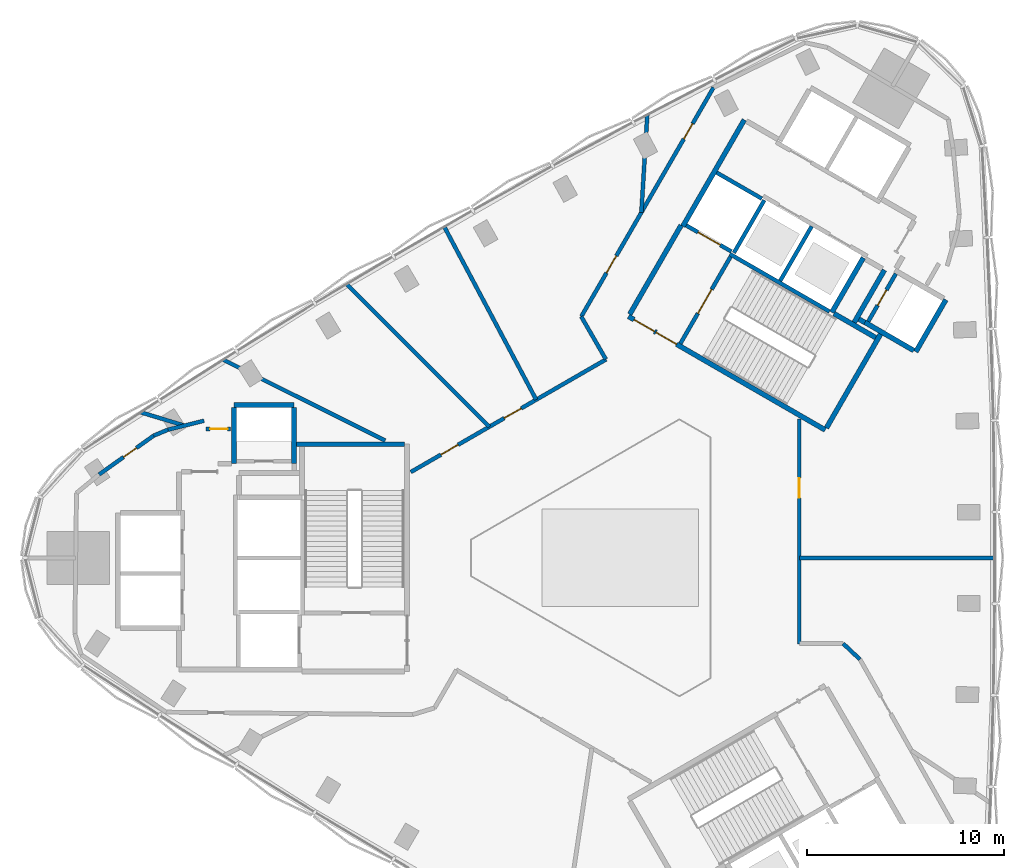
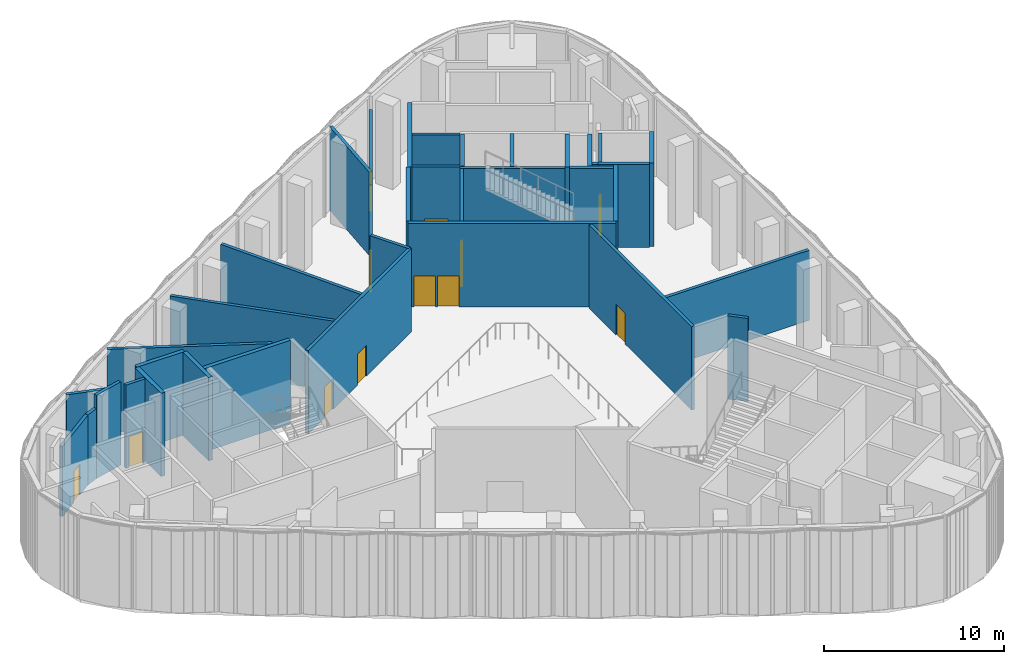
# One storey, part 7 of 14: 36 walls, 12 doors, 12 openings.
"""IFC4 building model written with IfcOpenShell, lengths in metres."""

from ifc_helpers import new_model, si_unit, direction, frame, frame_2d, origin, place, context, subcontext, project, spatial, rectangle, extrude, material, layer, layer_set, type_object, element, fill, save


model = new_model("IFC4")

# Units and contexts
model_context = context("Model", 3, precision=1e-05, world=origin(), true_north=direction((0.0, 1.0)))
body_context = subcontext(model_context, "Body", "Model", "MODEL_VIEW")
ifc_project = project(units=[si_unit("LENGTHUNIT", "METRE"), si_unit("AREAUNIT", "SQUARE_METRE"), si_unit("VOLUMEUNIT", "CUBIC_METRE"), si_unit("PLANEANGLEUNIT", "RADIAN"), si_unit("MASSUNIT", "GRAM", prefix="KILO")], contexts=[model_context])

# Site, building, storey
site_placement = place(None, origin())
site = spatial("IfcSite", under=ifc_project, at=site_placement, CompositionType="ELEMENT")
building_placement = place(site_placement, origin())
building = spatial("IfcBuilding", under=site, at=building_placement, Name="Tamra Quay Hotel Tower", CompositionType="ELEMENT")
storey_placement = place(building_placement, frame((0.0, 0.0, 169.60009765625)))
storey = spatial("IfcBuildingStorey", under=building, at=storey_placement, Name="L42", CompositionType="ELEMENT", Elevation=169.60009765625)

# Wall
ifc_material_1 = material(Name="Concrete M70", Category="concrete")
ifc_layer_1 = layer(ifc_material_1, 0.199951171875)
ifc_layer_set_1 = layer_set([ifc_layer_1], Name="Concrete M70 core wall 200")
wall_type_1 = type_object("IfcWallType", Name="Concrete M70 core wall 200", PredefinedType="SHEAR", material=ifc_layer_set_1)
wall_1_placement = place(storey_placement, frame((10.636474609375, 12.521484375, 0.0), z_axis=(0.0, 0.0, 1.0), x_axis=(-0.866013252188, 0.500021046592, 0.0)))
element("IfcWall", 1, at=wall_1_placement, inside=storey, type_object=wall_type_1, Name="CW2", PredefinedType="SHEAR", context=body_context, shape_type="SweptSolid", body=[
    extrude(rectangle(XDim=5.850830078125, YDim=0.199951171875, at=frame_2d((2.92529296875, 0.0))), origin(), (0.0, 0.0, 1.0), 5.64990234375),
])

# Wall, opening, door
wall_2_placement = place(storey_placement, frame((3.056640625, 10.89453125, 0.0), z_axis=(0.0, 0.0, 1.0), x_axis=(0.500027839223, 0.866009330205, 0.0)))
wall_2 = element("IfcWall", 2, at=wall_2_placement, inside=storey, type_object=wall_type_1, Name="CW2", PredefinedType="SHEAR", context=body_context, shape_type="SweptSolid", body=[
    extrude(rectangle(XDim=5.097900390625, YDim=0.199951171875, at=frame_2d((2.548828125, 0.0))), origin(), (0.0, 0.0, 1.0), 5.64990234375),
])
opening_1_placement = place(wall_2_placement, frame((1.77392578125, 0.0, 0.0)))
opening_1 = element("IfcOpeningElement", 3, at=opening_1_placement, cuts=wall_2, Name="Opening FD2", PredefinedType="OPENING", context=body_context, shape_type="SweptSolid", body=[
    extrude(rectangle(XDim=1.39990234375, YDim=2.10009765625, at=frame_2d((0.699951171875, 1.050048828125))), frame((0.0, 0.10986328125, 0.0), z_axis=(0.0, -1.0, 0.0), x_axis=(1.0, 0.0, 0.0)), (0.0, 0.0, 1.0), 0.219970703125),
])
ifc_material_2 = material(Name="Core door FD2 1400x2100 LH")
door_type_1 = type_object("IfcDoorType", Name="Core door FD2 1400x2100 LH", OperationType="NOTDEFINED", PredefinedType="DOOR", material=ifc_material_2)
door_1_placement = place(opening_1_placement, origin())
door_1 = element("IfcDoor", 4, at=door_1_placement, inside=storey, type_object=door_type_1, Name="FD2", OperationType="SINGLE_SWING_LEFT", OverallHeight=2.10009765625, OverallWidth=1.39990234375, PredefinedType="DOOR", context=body_context, shape_type="SweptSolid", body=[
    extrude(rectangle(XDim=1.39990234375, YDim=2.10009765625, at=frame_2d((0.699951171875, 1.050048828125))), frame((0.0, 0.02490234375, 0.0), z_axis=(0.0, -1.0, 0.0), x_axis=(1.0, 0.0, 0.0)), (0.0, 0.0, 1.0), 0.050048828125),
])
fill(opening_1, door_1)

# Wall
wall_3_placement = place(storey_placement, frame((8.131591796875, 14.08447265625, 0.0), z_axis=(0.0, 0.0, 1.0), x_axis=(0.500030834389, 0.86600760081, 0.0)))
element("IfcWall", 5, at=wall_3_placement, inside=storey, type_object=wall_type_1, Name="CW2", PredefinedType="SHEAR", context=body_context, shape_type="SweptSolid", body=[
    extrude(rectangle(XDim=3.197998046875, YDim=0.199951171875, at=frame_2d((1.59912109375, 0.0))), origin(), (0.0, 0.0, 1.0), 5.64990234375),
])

# Wall, opening, door
wall_4_placement = place(storey_placement, frame((14.0078125, 14.442138671875, 0.0), z_axis=(0.0, 0.0, 1.0), x_axis=(-0.499986818241, -0.866033014143, 0.0)))
wall_4 = element("IfcWall", 6, at=wall_4_placement, inside=storey, type_object=wall_type_1, Name="CW2", PredefinedType="SHEAR", context=body_context, shape_type="SweptSolid", body=[
    extrude(rectangle(XDim=2.7978515625, YDim=0.199951171875, at=frame_2d((1.39892578125, 0.0))), origin(), (0.0, 0.0, 1.0), 5.64990234375),
])
opening_2_placement = place(wall_4_placement, frame((0.948974609375, 0.0, 0.0)))
opening_2 = element("IfcOpeningElement", 7, at=opening_2_placement, cuts=wall_4, Name="Opening D1", PredefinedType="OPENING", context=body_context, shape_type="SweptSolid", body=[
    extrude(rectangle(XDim=0.89990234375, YDim=2.10009765625, at=frame_2d((0.449951171875, 1.050048828125))), frame((0.0, 0.10986328125, 0.0), z_axis=(0.0, -1.0, 0.0), x_axis=(1.0, 0.0, 0.0)), (0.0, 0.0, 1.0), 0.219970703125),
])
ifc_material_3 = material(Name="Core door D1 900x2100 RH")
door_type_2 = type_object("IfcDoorType", Name="Core door D1 900x2100 RH", OperationType="NOTDEFINED", PredefinedType="DOOR", material=ifc_material_3)
door_2_placement = place(opening_2_placement, origin())
door_2 = element("IfcDoor", 8, at=door_2_placement, inside=storey, type_object=door_type_2, Name="D1", OperationType="SINGLE_SWING_RIGHT", OverallHeight=2.10009765625, OverallWidth=0.89990234375, PredefinedType="DOOR", context=body_context, shape_type="SweptSolid", body=[
    extrude(rectangle(XDim=0.89990234375, YDim=2.10009765625, at=frame_2d((0.449951171875, 1.050048828125))), frame((0.0, 0.02490234375, 0.0), z_axis=(0.0, -1.0, 0.0), x_axis=(1.0, 0.0, 0.0)), (0.0, 0.0, 1.0), 0.050048828125),
])
fill(opening_2, door_2)

# Wall
wall_5_placement = place(storey_placement, frame((7.324462890625, 18.1865234375, 0.0), z_axis=(0.0, 0.0, 1.0), x_axis=(-0.499967891604, -0.866043940782, 0.0)))
element("IfcWall", 9, at=wall_5_placement, inside=storey, type_object=wall_type_1, Name="CW2", PredefinedType="SHEAR", context=body_context, shape_type="SweptSolid", body=[
    extrude(rectangle(XDim=3.099853515625, YDim=0.199951171875, at=frame_2d((1.5498046875, 0.0))), origin(), (0.0, 0.0, 1.0), 5.64990234375),
])

# Wall, opening, door
wall_6_placement = place(storey_placement, frame((5.646240234375, 15.575927734375, 0.0), z_axis=(0.0, 0.0, 1.0), x_axis=(-0.866018407898, 0.500012117035, 0.0)))
wall_6 = element("IfcWall", 10, at=wall_6_placement, inside=storey, type_object=wall_type_1, Name="CW2", PredefinedType="SHEAR", context=body_context, shape_type="SweptSolid", body=[
    extrude(rectangle(XDim=2.65087890625, YDim=0.199951171875, at=frame_2d((1.325439453125, 0.0))), origin(), (0.0, 0.0, 1.0), 5.64990234375),
])
opening_3_placement = place(wall_6_placement, frame((0.65185546875, 0.0, 0.0)))
opening_3 = element("IfcOpeningElement", 11, at=opening_3_placement, cuts=wall_6, Name="Opening LD", PredefinedType="OPENING", context=body_context, shape_type="SweptSolid", body=[
    extrude(rectangle(XDim=1.300048828125, YDim=2.10009765625, at=frame_2d((0.64990234375, 1.050048828125))), frame((0.0, 0.10986328125, 0.0), z_axis=(0.0, -1.0, 0.0), x_axis=(1.0, 0.0, 0.0)), (0.0, 0.0, 1.0), 0.219970703125),
])
ifc_material_4 = material(Name="Landing door LD 1300 sliding to left")
door_type_3 = type_object("IfcDoorType", Name="Landing door LD 1300 sliding to left", OperationType="NOTDEFINED", PredefinedType="DOOR", material=ifc_material_4)
door_3_placement = place(opening_3_placement, origin())
door_3 = element("IfcDoor", 12, at=door_3_placement, inside=storey, type_object=door_type_3, Name="LD", OperationType="SLIDING_TO_LEFT", OverallHeight=2.10009765625, OverallWidth=1.300048828125, PredefinedType="DOOR", context=body_context, shape_type="SweptSolid", body=[
    extrude(rectangle(XDim=1.300048828125, YDim=2.10009765625, at=frame_2d((0.64990234375, 1.050048828125))), frame((0.0, 0.02490234375, 0.0), z_axis=(0.0, -1.0, 0.0), x_axis=(1.0, 0.0, 0.0)), (0.0, 0.0, 1.0), 0.050048828125),
])
fill(opening_3, door_3)

# Walls
wall_7_placement = place(storey_placement, frame((7.1962890625, 18.260498046875, 0.0), z_axis=(0.0, 0.0, 1.0), x_axis=(-0.866018407898, 0.500012117035, 0.0)))
element("IfcWall", 13, at=wall_7_placement, inside=storey, type_object=wall_type_1, Name="CW2", PredefinedType="SHEAR", context=body_context, shape_type="SweptSolid", body=[
    extrude(rectangle(XDim=2.65087890625, YDim=0.199951171875, at=frame_2d((1.325439453125, 0.0))), origin(), (0.0, 0.0, 1.0), 5.64990234375),
])
ifc_layer_2 = layer(ifc_material_1, 0.25)
ifc_layer_set_2 = layer_set([ifc_layer_2], Name="Concrete M70 core wall 250")
wall_type_2 = type_object("IfcWallType", Name="Concrete M70 core wall 250", PredefinedType="SHEAR", material=ifc_layer_set_2)
wall_8_placement = place(storey_placement, frame((-16.47216796875, 5.77490234375, 0.0), z_axis=(0.0, 0.0, 1.0), x_axis=(1.0, 0.0, 0.0)))
element("IfcWall", 14, at=wall_8_placement, inside=storey, type_object=wall_type_2, Name="CW1", PredefinedType="SHEAR", context=body_context, shape_type="SweptSolid", body=[
    extrude(rectangle(XDim=5.509521484375, YDim=0.25, at=frame_2d((2.7548828125, 0.0))), origin(), (0.0, 0.0, 1.0), 5.64990234375),
])
wall_9_placement = place(storey_placement, frame((-19.63720703125, 7.77490234375, 0.0), z_axis=(0.0, 0.0, 1.0), x_axis=(1.0, 0.0, 0.0)))
element("IfcWall", 15, at=wall_9_placement, inside=storey, type_object=wall_type_2, Name="CW1", PredefinedType="SHEAR", context=body_context, shape_type="SweptSolid", body=[
    extrude(rectangle(XDim=3.0498046875, YDim=0.25, at=frame_2d((1.52490234375, 0.0))), origin(), (0.0, 0.0, 1.0), 5.64990234375),
])
for number, where, z_axis, x_axis, name in (
    (16, (-16.58740234375, 7.649658203125, 0.0), (0.0, 0.0, 1.0), (0.0, -1.0, 0.0), "CW1"),
    (17, (-19.63720703125, 4.784912109375, 0.0), (0.0, 0.0, 1.0), (0.0, 1.0, 0.0), "CW1"),
):
    element("IfcWall", number, at=place(storey_placement, frame(where, z_axis=z_axis, x_axis=x_axis)), inside=storey, type_object=wall_type_2, Name=name, PredefinedType="SHEAR", context=body_context, shape_type="SweptSolid", body=[
        extrude(rectangle(XDim=2.86474609375, YDim=0.25, at=frame_2d((1.432373046875, 0.0))), origin(), (0.0, 0.0, 1.0), 5.64990234375),
    ])

# Wall, openings, doors
wall_10_placement = place(storey_placement, frame((10.419921875, 6.497802734375, 0.0), z_axis=(0.0, 0.0, 1.0), x_axis=(-0.866021906294, 0.500006057782, 0.0)))
wall_10 = element("IfcWall", 18, at=wall_10_placement, inside=storey, type_object=wall_type_2, Name="CW1", PredefinedType="SHEAR", context=body_context, shape_type="SweptSolid", body=[
    extrude(rectangle(XDim=11.550048828125, YDim=0.25, at=frame_2d((5.77490234375, 0.0))), origin(), (0.0, 0.0, 1.0), 5.64990234375),
])
opening_4_placement = place(wall_10_placement, frame((10.02490234375, 0.0, 0.0)))
opening_4 = element("IfcOpeningElement", 19, at=opening_4_placement, cuts=wall_10, Name="Opening FD1", PredefinedType="OPENING", context=body_context, shape_type="SweptSolid", body=[
    extrude(rectangle(XDim=1.199951171875, YDim=2.10009765625, at=frame_2d((0.60009765625, 1.050048828125))), frame((0.0, 0.135009765625, 0.0), z_axis=(0.0, -1.0, 0.0), x_axis=(1.0, 0.0, 0.0)), (0.0, 0.0, 1.0), 0.27001953125),
])
opening_5_placement = place(wall_10_placement, frame((8.724853515625, 0.0, 0.0)))
opening_5 = element("IfcOpeningElement", 20, at=opening_5_placement, cuts=wall_10, Name="Opening FD1", PredefinedType="OPENING", context=body_context, shape_type="SweptSolid", body=[
    extrude(rectangle(XDim=1.199951171875, YDim=2.10009765625, at=frame_2d((0.60009765625, 1.050048828125))), frame((0.0, 0.135009765625, 0.0), z_axis=(0.0, -1.0, 0.0), x_axis=(1.0, 0.0, 0.0)), (0.0, 0.0, 1.0), 0.27001953125),
])
ifc_material_5 = material(Name="Core door FD1 1200x2100 LH")
door_type_4 = type_object("IfcDoorType", Name="Core door FD1 1200x2100 LH", OperationType="NOTDEFINED", PredefinedType="DOOR", material=ifc_material_5)
door_4_placement = place(opening_4_placement, origin())
door_4 = element("IfcDoor", 21, at=door_4_placement, inside=storey, type_object=door_type_4, Name="FD1", OperationType="SINGLE_SWING_LEFT", OverallHeight=2.10009765625, OverallWidth=1.199951171875, PredefinedType="DOOR", context=body_context, shape_type="SweptSolid", body=[
    extrude(rectangle(XDim=1.199951171875, YDim=2.10009765625, at=frame_2d((0.60009765625, 1.050048828125))), frame((0.0, 0.02490234375, 0.0), z_axis=(0.0, -1.0, 0.0), x_axis=(1.0, 0.0, 0.0)), (0.0, 0.0, 1.0), 0.050048828125),
])
fill(opening_4, door_4)
ifc_material_6 = material(Name="Core door FD1 1200x2100 RH")
door_type_5 = type_object("IfcDoorType", Name="Core door FD1 1200x2100 RH", OperationType="NOTDEFINED", PredefinedType="DOOR", material=ifc_material_6)
door_5_placement = place(opening_5_placement, origin())
door_5 = element("IfcDoor", 22, at=door_5_placement, inside=storey, type_object=door_type_5, Name="FD1", OperationType="SINGLE_SWING_RIGHT", OverallHeight=2.10009765625, OverallWidth=1.199951171875, PredefinedType="DOOR", context=body_context, shape_type="SweptSolid", body=[
    extrude(rectangle(XDim=1.199951171875, YDim=2.10009765625, at=frame_2d((0.60009765625, 1.050048828125))), frame((0.0, 0.02490234375, 0.0), z_axis=(0.0, -1.0, 0.0), x_axis=(1.0, 0.0, 0.0)), (0.0, 0.0, 1.0), 0.050048828125),
])
fill(opening_5, door_5)

# Walls
wall_11_placement = place(storey_placement, frame((3.178955078125, 16.856201171875, 0.0), z_axis=(0.0, 0.0, 1.0), x_axis=(0.500004234368, 0.866022959057, 0.0)))
element("IfcWall", 23, at=wall_11_placement, inside=storey, type_object=wall_type_2, Name="CW1", PredefinedType="SHEAR", context=body_context, shape_type="SweptSolid", body=[
    extrude(rectangle(XDim=6.25, YDim=0.25, at=frame_2d((3.125, 0.0))), origin(), (0.0, 0.0, 1.0), 5.64990234375),
])
wall_12_placement = place(storey_placement, frame((0.47998046875, 12.38134765625, 0.0), z_axis=(0.0, 0.0, 1.0), x_axis=(0.49999885962, 0.866026062182, 0.0)))
element("IfcWall", 24, at=wall_12_placement, inside=storey, type_object=wall_type_2, Name="CW1", PredefinedType="SHEAR", context=body_context, shape_type="SweptSolid", body=[
    extrude(rectangle(XDim=5.224609375, YDim=0.25, at=frame_2d((2.6123046875, 0.0))), origin(), (0.0, 0.0, 1.0), 5.64990234375),
])
wall_13_placement = place(storey_placement, frame((13.237548828125, 11.3779296875, 0.0), z_axis=(0.0, 0.0, 1.0), x_axis=(-0.500008851346, -0.866020293397, 0.0)))
element("IfcWall", 25, at=wall_13_placement, inside=storey, type_object=wall_type_2, Name="CW1", PredefinedType="SHEAR", context=body_context, shape_type="SweptSolid", body=[
    extrude(rectangle(XDim=5.509765625, YDim=0.25, at=frame_2d((2.7548828125, 0.0))), origin(), (0.0, 0.0, 1.0), 5.64990234375),
])
wall_14_placement = place(storey_placement, frame((12.356689453125, 15.25244140625, 0.0), z_axis=(0.0, 0.0, 1.0), x_axis=(-0.500028443584, -0.866008981251, 0.0)))
element("IfcWall", 26, at=wall_14_placement, inside=storey, type_object=wall_type_2, Name="CW1", PredefinedType="SHEAR", context=body_context, shape_type="SweptSolid", body=[
    extrude(rectangle(XDim=3.199951171875, YDim=0.25, at=frame_2d((1.60009765625, 0.0))), origin(), (0.0, 0.0, 1.0), 5.64990234375),
])
wall_15_placement = place(storey_placement, frame((16.552001953125, 13.118896484375, 0.0), z_axis=(0.0, 0.0, 1.0), x_axis=(-0.499978833458, -0.866037623948, 0.0)))
element("IfcWall", 27, at=wall_15_placement, inside=storey, type_object=wall_type_2, Name="CW1", PredefinedType="SHEAR", context=body_context, shape_type="SweptSolid", body=[
    extrude(rectangle(XDim=3.050048828125, YDim=0.25, at=frame_2d((1.52490234375, 0.0))), origin(), (0.0, 0.0, 1.0), 5.64990234375),
])
wall_16_placement = place(storey_placement, frame((14.91845703125, 10.540283203125, 0.0), z_axis=(0.0, 0.0, 1.0), x_axis=(-0.866063538972, 0.499933942099, 0.0)))
element("IfcWall", 28, at=wall_16_placement, inside=storey, type_object=wall_type_2, Name="CW1", PredefinedType="SHEAR", context=body_context, shape_type="SweptSolid", body=[
    extrude(rectangle(XDim=2.86474609375, YDim=0.25, at=frame_2d((1.432373046875, 0.0))), origin(), (0.0, 0.0, 1.0), 5.64990234375),
])
wall_17_placement = place(storey_placement, frame((11.887939453125, 11.960693359375, 0.0), z_axis=(0.0, 0.0, 1.0), x_axis=(0.500003324108, 0.866023484601, 0.0)))
element("IfcWall", 29, at=wall_17_placement, inside=storey, type_object=wall_type_2, Name="CW1", PredefinedType="SHEAR", context=body_context, shape_type="SweptSolid", body=[
    extrude(rectangle(XDim=3.0849609375, YDim=0.25, at=frame_2d((1.54248046875, 0.0))), origin(), (0.0, 0.0, 1.0), 5.64990234375),
])
wall_18_placement = place(storey_placement, frame((10.865234375, 12.41845703125, 0.0), z_axis=(0.0, 0.0, 1.0), x_axis=(0.866026229868, -0.499998569178, 0.0)))
element("IfcWall", 30, at=wall_18_placement, inside=storey, type_object=wall_type_2, Name="CW1", PredefinedType="SHEAR", context=body_context, shape_type="SweptSolid", body=[
    extrude(rectangle(XDim=2.44921875, YDim=0.25, at=frame_2d((1.224609375, 0.0))), origin(), (0.0, 0.0, 1.0), 5.64990234375),
])
wall_19_placement = place(storey_placement, frame((12.4326171875, 11.9638671875, 0.0), z_axis=(0.0, 0.0, 1.0), x_axis=(-0.866055875208, 0.499947218231, 0.0)))
element("IfcWall", 31, at=wall_19_placement, inside=storey, type_object=wall_type_2, Name="CW1", PredefinedType="SHEAR", context=body_context, shape_type="SweptSolid", body=[
    extrude(rectangle(XDim=0.3447265625, YDim=0.25, at=frame_2d((0.17236328125, 0.0))), origin(), (0.0, 0.0, 1.0), 5.64990234375),
])

# Wall, opening, door
ifc_material_7 = material(Name="Partition corridor wall")
ifc_layer_3 = layer(ifc_material_7, 0.199951171875)
ifc_layer_set_3 = layer_set([ifc_layer_3], Name="Partition corridor wall")
wall_type_3 = type_object("IfcWallType", Name="Partition corridor wall", PredefinedType="PARTITIONING", material=ifc_layer_set_3)
wall_20_placement = place(storey_placement, frame((-26.5, 4.235107421875, 0.0), z_axis=(0.0, 0.0, 1.0), x_axis=(0.814738171434, 0.579829036879, 0.0)))
wall_20 = element("IfcWall", 32, at=wall_20_placement, inside=storey, type_object=wall_type_3, Name="W-C", PredefinedType="PARTITIONING", context=body_context, shape_type="SweptSolid", body=[
    extrude(rectangle(XDim=3.410888671875, YDim=0.199951171875, at=frame_2d((1.70556640625, 0.0))), origin(), (0.0, 0.0, 1.0), 4.75),
])
opening_6_placement = place(wall_20_placement, frame((1.526611328125, 0.0, 0.0)))
opening_6 = element("IfcOpeningElement", 33, at=opening_6_placement, cuts=wall_20, Name="Opening L42-D007", PredefinedType="OPENING", context=body_context, shape_type="SweptSolid", body=[
    extrude(rectangle(XDim=0.800048828125, YDim=2.10009765625, at=frame_2d((0.39990234375, 1.050048828125))), frame((0.0, 0.10986328125, 0.0), z_axis=(0.0, -1.0, 0.0), x_axis=(1.0, 0.0, 0.0)), (0.0, 0.0, 1.0), 0.219970703125),
])
ifc_material_8 = material(Name="Door service room 800x2100")
door_type_6 = type_object("IfcDoorType", Name="Door service room 800x2100", OperationType="NOTDEFINED", PredefinedType="DOOR", material=ifc_material_8)
door_6_placement = place(opening_6_placement, origin())
door_6 = element("IfcDoor", 34, at=door_6_placement, inside=storey, type_object=door_type_6, Name="L42-D007", OperationType="SINGLE_SWING_LEFT", OverallHeight=2.10009765625, OverallWidth=0.800048828125, PredefinedType="DOOR", context=body_context, shape_type="SweptSolid", body=[
    extrude(rectangle(XDim=0.800048828125, YDim=2.10009765625, at=frame_2d((0.39990234375, 1.050048828125))), frame((0.0, 0.02490234375, 0.0), z_axis=(0.0, -1.0, 0.0), x_axis=(1.0, 0.0, 0.0)), (0.0, 0.0, 1.0), 0.050048828125),
])
fill(opening_6, door_6)

# Walls
wall_21_placement = place(storey_placement, frame((-23.720947265625, 6.212890625, 0.0), z_axis=(0.0, 0.0, 1.0), x_axis=(0.923269753153, 0.384152265271, 0.0)))
element("IfcWall", 35, at=wall_21_placement, inside=storey, type_object=wall_type_3, Name="W-C", PredefinedType="PARTITIONING", context=body_context, shape_type="SweptSolid", body=[
    extrude(rectangle(XDim=0.7861328125, YDim=0.199951171875, at=frame_2d((0.39306640625, 0.0))), origin(), (0.0, 0.0, 1.0), 4.75),
])
wall_22_placement = place(storey_placement, frame((-22.991943359375, 6.5146484375, 0.0), z_axis=(0.0, 0.0, 1.0), x_axis=(0.97043928485, 0.241345384085, 0.0)))
element("IfcWall", 36, at=wall_22_placement, inside=storey, type_object=wall_type_3, Name="W-C", PredefinedType="PARTITIONING", context=body_context, shape_type="SweptSolid", body=[
    extrude(rectangle(XDim=1.882568359375, YDim=0.199951171875, at=frame_2d((0.94140625, 0.0))), origin(), (0.0, 0.0, 1.0), 5.64990234375),
])

# Wall, opening, door
wall_23_placement = place(storey_placement, frame((-21.05810546875, 6.550048828125, 0.0), z_axis=(0.0, 0.0, 1.0), x_axis=(1.0, 0.0, 0.0)))
wall_23 = element("IfcWall", 37, at=wall_23_placement, inside=storey, type_object=wall_type_3, Name="W-C", PredefinedType="PARTITIONING", context=body_context, shape_type="SweptSolid", body=[
    extrude(rectangle(XDim=1.23583984375, YDim=0.199951171875, at=frame_2d((0.617919921875, 0.0))), origin(), (0.0, 0.0, 1.0), 5.64990234375),
])
opening_7_placement = place(wall_23_placement, frame((0.199951171875, 0.0, 0.0)))
opening_7 = element("IfcOpeningElement", 38, at=opening_7_placement, cuts=wall_23, Name="Opening L42-D006", PredefinedType="OPENING", context=body_context, shape_type="SweptSolid", body=[
    extrude(rectangle(XDim=0.89990234375, YDim=2.10009765625, at=frame_2d((0.449951171875, 1.050048828125))), frame((0.0, 0.10986328125, 0.0), z_axis=(0.0, -1.0, 0.0), x_axis=(1.0, 0.0, 0.0)), (0.0, 0.0, 1.0), 0.219970703125),
])
ifc_material_9 = material(Name="Door guest room 900x2100")
door_type_7 = type_object("IfcDoorType", Name="Door guest room 900x2100", OperationType="NOTDEFINED", PredefinedType="DOOR", material=ifc_material_9)
door_7_placement = place(opening_7_placement, origin())
door_7 = element("IfcDoor", 39, at=door_7_placement, inside=storey, type_object=door_type_7, Name="L42-D006", OperationType="SINGLE_SWING_LEFT", OverallHeight=2.10009765625, OverallWidth=0.89990234375, PredefinedType="DOOR", context=body_context, shape_type="SweptSolid", body=[
    extrude(rectangle(XDim=0.89990234375, YDim=2.10009765625, at=frame_2d((0.449951171875, 1.050048828125))), frame((0.0, 0.02490234375, 0.0), z_axis=(0.0, -1.0, 0.0), x_axis=(1.0, 0.0, 0.0)), (0.0, 0.0, 1.0), 0.050048828125),
])
fill(opening_7, door_7)

# Wall, openings, doors
wall_24_placement = place(storey_placement, frame((-10.65234375, 4.360107421875, 0.0), z_axis=(0.0, 0.0, 1.0), x_axis=(0.866215711467, 0.499670232461, 0.0)))
wall_24 = element("IfcWall", 40, at=wall_24_placement, inside=storey, type_object=wall_type_3, Name="W-C", PredefinedType="PARTITIONING", context=body_context, shape_type="SweptSolid", body=[
    extrude(rectangle(XDim=11.467529296875, YDim=0.199951171875, at=frame_2d((5.73388671875, 0.0))), origin(), (0.0, 0.0, 1.0), 5.64990234375),
])
opening_8_placement = place(wall_24_placement, frame((5.48388671875, 0.0, 0.0)))
opening_8 = element("IfcOpeningElement", 41, at=opening_8_placement, cuts=wall_24, Name="Opening L42-D004", PredefinedType="OPENING", context=body_context, shape_type="SweptSolid", body=[
    extrude(rectangle(XDim=1.0, YDim=2.10009765625, at=frame_2d((0.5, 1.050048828125))), frame((0.0, 0.10986328125, 0.0), z_axis=(0.0, -1.0, 0.0), x_axis=(1.0, 0.0, 0.0)), (0.0, 0.0, 1.0), 0.219970703125),
])
opening_9_placement = place(wall_24_placement, frame((1.774658203125, 0.0, 0.0)))
opening_9 = element("IfcOpeningElement", 42, at=opening_9_placement, cuts=wall_24, Name="Opening L42-D005", PredefinedType="OPENING", context=body_context, shape_type="SweptSolid", body=[
    extrude(rectangle(XDim=1.0, YDim=2.10009765625, at=frame_2d((0.5, 1.050048828125))), frame((0.0, 0.10986328125, 0.0), z_axis=(0.0, -1.0, 0.0), x_axis=(1.0, 0.0, 0.0)), (0.0, 0.0, 1.0), 0.219970703125),
])
ifc_material_10 = material(Name="Door guest room 1000x2100")
door_type_8 = type_object("IfcDoorType", Name="Door guest room 1000x2100", OperationType="NOTDEFINED", PredefinedType="DOOR", material=ifc_material_10)
door_8_placement = place(opening_8_placement, origin())
door_8 = element("IfcDoor", 43, at=door_8_placement, inside=storey, type_object=door_type_8, Name="L42-D004", OperationType="SINGLE_SWING_LEFT", OverallHeight=2.10009765625, OverallWidth=1.0, PredefinedType="DOOR", context=body_context, shape_type="SweptSolid", body=[
    extrude(rectangle(XDim=1.0, YDim=2.10009765625, at=frame_2d((0.5, 1.050048828125))), frame((0.0, 0.02490234375, 0.0), z_axis=(0.0, -1.0, 0.0), x_axis=(1.0, 0.0, 0.0)), (0.0, 0.0, 1.0), 0.050048828125),
])
fill(opening_8, door_8)
door_9_placement = place(opening_9_placement, origin())
door_9 = element("IfcDoor", 44, at=door_9_placement, inside=storey, type_object=door_type_8, Name="L42-D005", OperationType="SINGLE_SWING_LEFT", OverallHeight=2.10009765625, OverallWidth=1.0, PredefinedType="DOOR", context=body_context, shape_type="SweptSolid", body=[
    extrude(rectangle(XDim=1.0, YDim=2.10009765625, at=frame_2d((0.5, 1.050048828125))), frame((0.0, 0.02490234375, 0.0), z_axis=(0.0, -1.0, 0.0), x_axis=(1.0, 0.0, 0.0)), (0.0, 0.0, 1.0), 0.050048828125),
])
fill(opening_9, door_9)

# Wall
wall_25_placement = place(storey_placement, frame((-1.985107421875, 12.264892578125, 0.0), z_axis=(0.0, 0.0, 1.0), x_axis=(0.499584369631, -0.866265235145, 0.0)))
element("IfcWall", 45, at=wall_25_placement, inside=storey, type_object=wall_type_3, Name="W-C", PredefinedType="PARTITIONING", context=body_context, shape_type="SweptSolid", body=[
    extrude(rectangle(XDim=2.500244140625, YDim=0.199951171875, at=frame_2d((1.25, 0.0))), origin(), (0.0, 0.0, 1.0), 5.64990234375),
])

# Wall, openings, doors
wall_26_placement = place(storey_placement, frame((-1.98486328125, 12.264892578125, 0.0), z_axis=(0.0, 0.0, 1.0), x_axis=(0.500003233276, 0.866023537044, 0.0)))
wall_26 = element("IfcWall", 46, at=wall_26_placement, inside=storey, type_object=wall_type_3, Name="W-C", PredefinedType="PARTITIONING", context=body_context, shape_type="SweptSolid", body=[
    extrude(rectangle(XDim=13.44775390625, YDim=0.199951171875, at=frame_2d((6.723876953125, 0.0))), origin(), (0.0, 0.0, 1.0), 4.75),
])
opening_10_placement = place(wall_26_placement, frame((10.427490234375, 0.0, 0.0)))
opening_10 = element("IfcOpeningElement", 47, at=opening_10_placement, cuts=wall_26, Name="Opening L42-D002", PredefinedType="OPENING", context=body_context, shape_type="SweptSolid", body=[
    extrude(rectangle(XDim=0.89990234375, YDim=2.10009765625, at=frame_2d((0.449951171875, 1.050048828125))), frame((0.0, 0.10986328125, 0.0), z_axis=(0.0, -1.0, 0.0), x_axis=(1.0, 0.0, 0.0)), (0.0, 0.0, 1.0), 0.219970703125),
])
opening_11_placement = place(wall_26_placement, frame((2.568115234375, 0.0, 0.0)))
opening_11 = element("IfcOpeningElement", 48, at=opening_11_placement, cuts=wall_26, Name="Opening L42-D003", PredefinedType="OPENING", context=body_context, shape_type="SweptSolid", body=[
    extrude(rectangle(XDim=1.0, YDim=2.10009765625, at=frame_2d((0.5, 1.050048828125))), frame((0.0, 0.10986328125, 0.0), z_axis=(0.0, -1.0, 0.0), x_axis=(1.0, 0.0, 0.0)), (0.0, 0.0, 1.0), 0.219970703125),
])
door_10_placement = place(opening_11_placement, origin())
door_10 = element("IfcDoor", 49, at=door_10_placement, inside=storey, type_object=door_type_8, Name="L42-D003", OperationType="SINGLE_SWING_LEFT", OverallHeight=2.10009765625, OverallWidth=1.0, PredefinedType="DOOR", context=body_context, shape_type="SweptSolid", body=[
    extrude(rectangle(XDim=1.0, YDim=2.10009765625, at=frame_2d((0.5, 1.050048828125))), frame((0.0, 0.02490234375, 0.0), z_axis=(0.0, -1.0, 0.0), x_axis=(1.0, 0.0, 0.0)), (0.0, 0.0, 1.0), 0.050048828125),
])
fill(opening_11, door_10)
ifc_material_11 = material(Name="Door service room 900x2100")
door_type_9 = type_object("IfcDoorType", Name="Door service room 900x2100", OperationType="NOTDEFINED", PredefinedType="DOOR", material=ifc_material_11)
door_11_placement = place(opening_10_placement, origin())
door_11 = element("IfcDoor", 50, at=door_11_placement, inside=storey, type_object=door_type_9, Name="L42-D002", OperationType="SINGLE_SWING_LEFT", OverallHeight=2.10009765625, OverallWidth=0.89990234375, PredefinedType="DOOR", context=body_context, shape_type="SweptSolid", body=[
    extrude(rectangle(XDim=0.89990234375, YDim=2.10009765625, at=frame_2d((0.449951171875, 1.050048828125))), frame((0.0, 0.02490234375, 0.0), z_axis=(0.0, -1.0, 0.0), x_axis=(1.0, 0.0, 0.0)), (0.0, 0.0, 1.0), 0.050048828125),
])
fill(opening_10, door_11)

# Wall, opening, door
wall_27_placement = place(storey_placement, frame((9.10009765625, -4.3720703125, 0.0), z_axis=(0.0, 0.0, 1.0), x_axis=(0.0, 1.0, 0.0)))
wall_27 = element("IfcWall", 51, at=wall_27_placement, inside=storey, type_object=wall_type_3, Name="W-C", PredefinedType="PARTITIONING", context=body_context, shape_type="SweptSolid", body=[
    extrude(rectangle(XDim=11.41845703125, YDim=0.199951171875, at=frame_2d((5.709228515625, 0.0))), origin(), (0.0, 0.0, 1.0), 5.64990234375),
])
opening_12_placement = place(wall_27_placement, frame((7.424072265625, 0.0, 0.0)))
opening_12 = element("IfcOpeningElement", 52, at=opening_12_placement, cuts=wall_27, Name="Opening L42-D001", PredefinedType="OPENING", context=body_context, shape_type="SweptSolid", body=[
    extrude(rectangle(XDim=1.0, YDim=2.10009765625, at=frame_2d((0.5, 1.050048828125))), frame((0.0, 0.10986328125, 0.0), z_axis=(0.0, -1.0, 0.0), x_axis=(1.0, 0.0, 0.0)), (0.0, 0.0, 1.0), 0.219970703125),
])
door_12_placement = place(opening_12_placement, frame((1.0, 0.0, 0.0), z_axis=(0.0, 0.0, 1.0), x_axis=(-1.0, 0.0, 0.0)))
door_12 = element("IfcDoor", 53, at=door_12_placement, inside=storey, type_object=door_type_8, Name="L42-D001", OperationType="SINGLE_SWING_LEFT", OverallHeight=2.10009765625, OverallWidth=1.0, PredefinedType="DOOR", context=body_context, shape_type="SweptSolid", body=[
    extrude(rectangle(XDim=1.0, YDim=2.10009765625, at=frame_2d((0.5, 1.050048828125))), frame((0.0, 0.02490234375, 0.0), z_axis=(0.0, -1.0, 0.0), x_axis=(1.0, 0.0, 0.0)), (0.0, 0.0, 1.0), 0.050048828125),
])
fill(opening_12, door_12)

# Walls
wall_28_placement = place(storey_placement, frame((11.33203125, -4.362060546875, 0.0), z_axis=(0.0, 0.0, 1.0), x_axis=(0.728642293119, -0.684894450757, 0.0)))
element("IfcWall", 54, at=wall_28_placement, inside=storey, type_object=wall_type_3, Name="W-C", PredefinedType="PARTITIONING", context=body_context, shape_type="SweptSolid", body=[
    extrude(rectangle(XDim=1.166259765625, YDim=0.199951171875, at=frame_2d((0.5830078125, 0.0))), origin(), (0.0, 0.0, 1.0), 5.64990234375),
])
ifc_material_12 = material(Name="Partition party wall")
ifc_layer_4 = layer(ifc_material_12, 0.199951171875)
ifc_layer_set_4 = layer_set([ifc_layer_4], Name="Partition party wall")
wall_type_4 = type_object("IfcWallType", Name="Partition party wall", PredefinedType="PARTITIONING", material=ifc_layer_set_4)
wall_29_placement = place(storey_placement, frame((-24.3642578125, 7.392578125, 0.0), z_axis=(0.0, 0.0, 1.0), x_axis=(0.956967335925, -0.290195654642, 0.0)))
element("IfcWall", 55, at=wall_29_placement, inside=storey, type_object=wall_type_4, Name="W-P", PredefinedType="PARTITIONING", context=body_context, shape_type="SweptSolid", body=[
    extrude(rectangle(XDim=2.303466796875, YDim=0.199951171875, at=frame_2d((1.15185546875, 0.0))), origin(), (0.0, 0.0, 1.0), 5.64990234375),
])
wall_30_placement = place(storey_placement, frame((-20.178955078125, 10.064697265625, 0.0), z_axis=(0.0, 0.0, 1.0), x_axis=(0.894867434309, -0.446332023289, 0.0)))
element("IfcWall", 56, at=wall_30_placement, inside=storey, type_object=wall_type_4, Name="W-P", PredefinedType="PARTITIONING", context=body_context, shape_type="SweptSolid", body=[
    extrude(rectangle(XDim=9.196533203125, YDim=0.199951171875, at=frame_2d((4.59814453125, 0.0))), origin(), (0.0, 0.0, 1.0), 5.64990234375),
])
wall_31_placement = place(storey_placement, frame((-13.90478515625, 13.90478515625, 0.0), z_axis=(0.0, 0.0, 1.0), x_axis=(0.707106781187, -0.707106781187, 0.0)))
element("IfcWall", 57, at=wall_31_placement, inside=storey, type_object=wall_type_4, Name="W-P", PredefinedType="PARTITIONING", context=body_context, shape_type="SweptSolid", body=[
    extrude(rectangle(XDim=10.2412109375, YDim=0.199951171875, at=frame_2d((5.12060546875, 0.0))), origin(), (0.0, 0.0, 1.0), 4.75),
])
wall_32_placement = place(storey_placement, frame((-8.940673828125, 16.81494140625, 0.0), z_axis=(0.0, 0.0, 1.0), x_axis=(0.469441422689, -0.882963617973, 0.0)))
element("IfcWall", 58, at=wall_32_placement, inside=storey, type_object=wall_type_4, Name="W-P", PredefinedType="PARTITIONING", context=body_context, shape_type="SweptSolid", body=[
    extrude(rectangle(XDim=9.93701171875, YDim=0.199951171875, at=frame_2d((4.968505859375, 0.0))), origin(), (0.0, 0.0, 1.0), 4.75),
])
wall_33_placement = place(storey_placement, frame((1.071044921875, 17.56201171875, 0.0), z_axis=(0.0, 0.0, 1.0), x_axis=(0.060902681742, 0.99814370877, 0.0)))
element("IfcWall", 59, at=wall_33_placement, inside=storey, type_object=wall_type_4, Name="W-P", PredefinedType="PARTITIONING", context=body_context, shape_type="SweptSolid", body=[
    extrude(rectangle(XDim=4.954833984375, YDim=0.199951171875, at=frame_2d((2.4775390625, 0.0))), origin(), (0.0, 0.0, 1.0), 5.64990234375),
])
wall_34_placement = place(storey_placement, frame((9.10205078125, 0.0, 0.0), z_axis=(0.0, 0.0, 1.0), x_axis=(1.0, 0.0, 0.0)))
element("IfcWall", 60, at=wall_34_placement, inside=storey, type_object=wall_type_4, Name="W-P", PredefinedType="PARTITIONING", context=body_context, shape_type="SweptSolid", body=[
    extrude(rectangle(XDim=9.930419921875, YDim=0.199951171875, at=frame_2d((4.96533203125, 0.0))), origin(), (0.0, 0.0, 1.0), 4.75),
])

save(model, "model.ifc")
